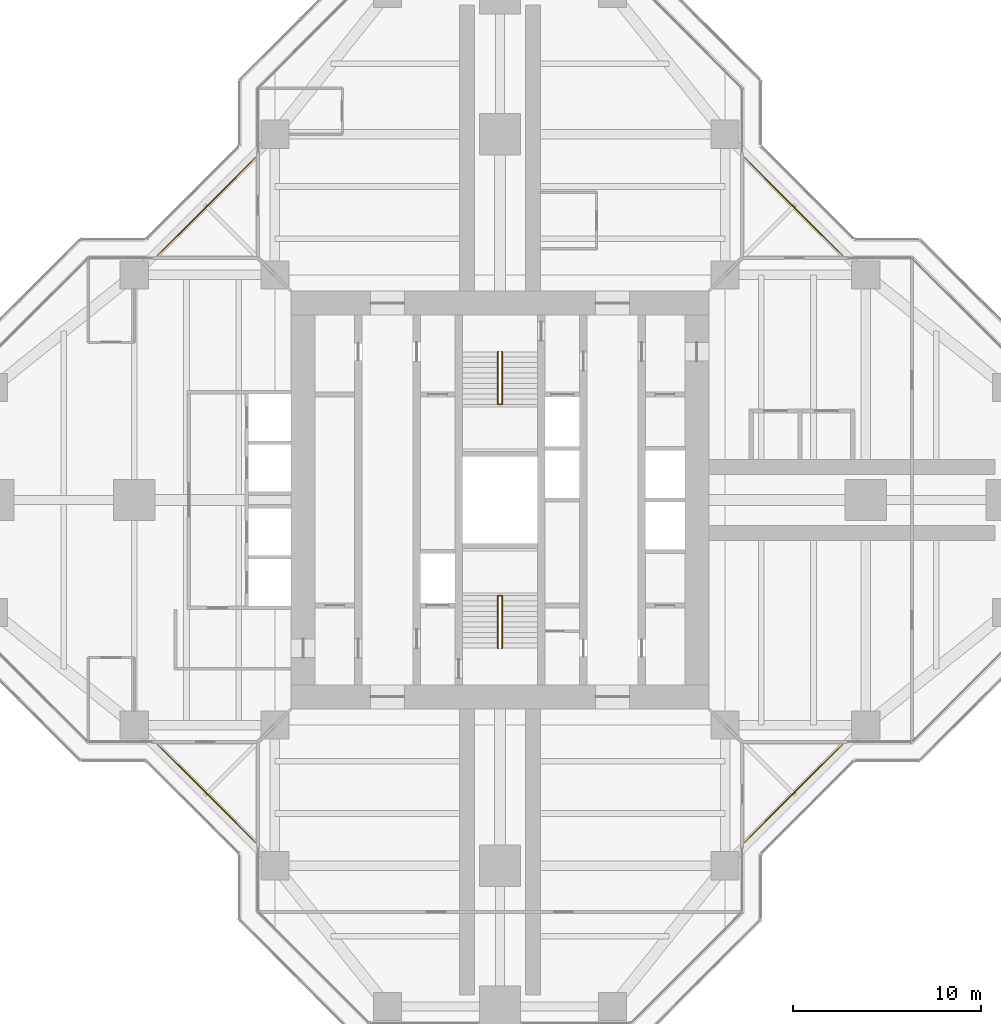
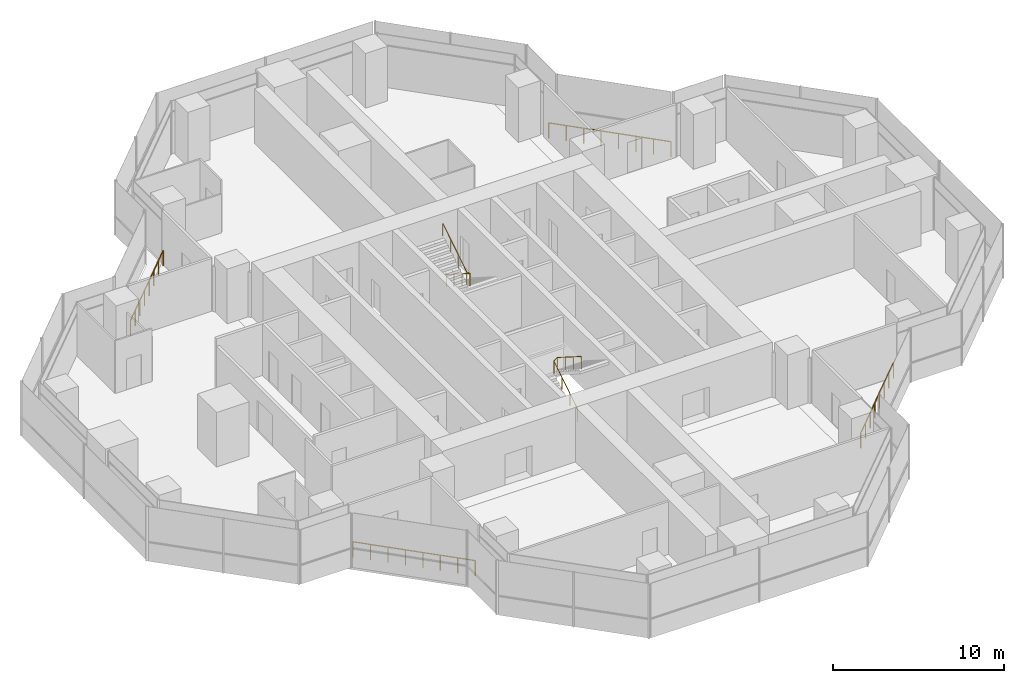
# One storey, part 17 of 17: 6 railings.
"""IFC4 building model written with IfcOpenShell, lengths in metres."""

from ifc_helpers import new_model, si_unit, direction, frame, origin, origin_2d, place, context, subcontext, project, spatial, circle, extrude, material, type_object, element, save


model = new_model("IFC4")

# Units and contexts
model_context = context("Model", 3, precision=1e-05, world=origin(), true_north=direction((0.0, 1.0)))
body_context = subcontext(model_context, "Body", "Model", "MODEL_VIEW")
ifc_project = project(units=[si_unit("LENGTHUNIT", "METRE"), si_unit("AREAUNIT", "SQUARE_METRE"), si_unit("VOLUMEUNIT", "CUBIC_METRE"), si_unit("PLANEANGLEUNIT", "RADIAN"), si_unit("MASSUNIT", "GRAM", prefix="KILO")], contexts=[model_context])

# Site, building, storey
site_placement = place(None, origin())
site = spatial("IfcSite", under=ifc_project, at=site_placement, CompositionType="ELEMENT")
building_placement = place(site_placement, origin())
building = spatial("IfcBuilding", under=site, at=building_placement, Name="Mizan Broadcast Tower", CompositionType="ELEMENT")
storey_placement = place(building_placement, frame((0.0, 0.0, 212.699951171875)))
storey = spatial("IfcBuildingStorey", under=building, at=storey_placement, Name="L49", CompositionType="ELEMENT", Elevation=212.699951171875)

# Railings
ifc_material_1 = material(Name="Stainless steel and glass guard", Category="steel")
railing_type_1 = type_object("IfcRailingType", Name="GUARD 1100", PredefinedType="GUARDRAIL", material=ifc_material_1)
railing_1_placement = place(storey_placement, frame((18.2578125, 13.030029296875, 0.0)))
element("IfcRailing", 1, at=railing_1_placement, inside=storey, type_object=railing_type_1, Name="Winter garden guard L49 E", PredefinedType="GUARDRAIL", context=body_context, shape_type="SweptSolid", body=[
    extrude(circle(Radius=0.02392578125, at=origin_2d()), frame((0.0, 0.0, 1.076171875), z_axis=(-0.707106781187, 0.707106781187, 0.0), x_axis=(-0.707106781187, -0.707106781187, 0.0)), (0.0, 0.0, 1.0), 7.393310546875),
    extrude(circle(Radius=0.02099609375, at=origin_2d()), origin(), (0.0, 0.0, 1.0), 1.052001953125),
    extrude(circle(Radius=0.02099609375, at=origin_2d()), frame((-0.746826171875, 0.746826171875, 0.0)), (0.0, 0.0, 1.0), 1.052001953125),
    extrude(circle(Radius=0.02099609375, at=origin_2d()), frame((-1.49365234375, 1.49365234375, 0.0)), (0.0, 0.0, 1.0), 1.052001953125),
    extrude(circle(Radius=0.02099609375, at=origin_2d()), frame((-2.240478515625, 2.240478515625, 0.0)), (0.0, 0.0, 1.0), 1.052001953125),
    extrude(circle(Radius=0.02099609375, at=origin_2d()), frame((-2.9873046875, 2.9873046875, 0.0)), (0.0, 0.0, 1.0), 1.052001953125),
    extrude(circle(Radius=0.02099609375, at=origin_2d()), frame((-3.734130859375, 3.734130859375, 0.0)), (0.0, 0.0, 1.0), 1.052001953125),
    extrude(circle(Radius=0.02099609375, at=origin_2d()), frame((-4.48095703125, 4.48095703125, 0.0)), (0.0, 0.0, 1.0), 1.052001953125),
    extrude(circle(Radius=0.02099609375, at=origin_2d()), frame((-5.227783203125, 5.227783203125, 0.0)), (0.0, 0.0, 1.0), 1.052001953125),
])
railing_2_placement = place(storey_placement, frame((-13.030029296875, 18.2578125, 0.0)))
element("IfcRailing", 2, at=railing_2_placement, inside=storey, type_object=railing_type_1, Name="Winter garden guard L49 N", PredefinedType="GUARDRAIL", context=body_context, shape_type="SweptSolid", body=[
    extrude(circle(Radius=0.02392578125, at=origin_2d()), frame((0.0, 0.0, 1.076171875), z_axis=(-0.707106781187, -0.707106781187, 0.0), x_axis=(0.707106781187, -0.707106781187, 0.0)), (0.0, 0.0, 1.0), 7.393310546875),
    extrude(circle(Radius=0.02099609375, at=origin_2d()), origin(), (0.0, 0.0, 1.0), 1.052001953125),
    extrude(circle(Radius=0.02099609375, at=origin_2d()), frame((-0.746826171875, -0.746826171875, 0.0)), (0.0, 0.0, 1.0), 1.052001953125),
    extrude(circle(Radius=0.02099609375, at=origin_2d()), frame((-1.49365234375, -1.49365234375, 0.0)), (0.0, 0.0, 1.0), 1.052001953125),
    extrude(circle(Radius=0.02099609375, at=origin_2d()), frame((-2.240478515625, -2.240478515625, 0.0)), (0.0, 0.0, 1.0), 1.052001953125),
    extrude(circle(Radius=0.02099609375, at=origin_2d()), frame((-2.9873046875, -2.9873046875, 0.0)), (0.0, 0.0, 1.0), 1.052001953125),
    extrude(circle(Radius=0.02099609375, at=origin_2d()), frame((-3.734130859375, -3.734130859375, 0.0)), (0.0, 0.0, 1.0), 1.052001953125),
    extrude(circle(Radius=0.02099609375, at=origin_2d()), frame((-4.48095703125, -4.48095703125, 0.0)), (0.0, 0.0, 1.0), 1.052001953125),
    extrude(circle(Radius=0.02099609375, at=origin_2d()), frame((-5.227783203125, -5.227783203125, 0.0)), (0.0, 0.0, 1.0), 1.052001953125),
])
railing_3_placement = place(storey_placement, frame((-18.2578125, -13.030029296875, 0.0)))
element("IfcRailing", 3, at=railing_3_placement, inside=storey, type_object=railing_type_1, Name="Winter garden guard L49 W", PredefinedType="GUARDRAIL", context=body_context, shape_type="SweptSolid", body=[
    extrude(circle(Radius=0.02392578125, at=origin_2d()), frame((0.0, 0.0, 1.076171875), z_axis=(0.707106781187, -0.707106781187, 0.0), x_axis=(0.707106781187, 0.707106781187, 0.0)), (0.0, 0.0, 1.0), 7.393310546875),
    extrude(circle(Radius=0.02099609375, at=origin_2d()), origin(), (0.0, 0.0, 1.0), 1.052001953125),
    extrude(circle(Radius=0.02099609375, at=origin_2d()), frame((0.746826171875, -0.746826171875, 0.0)), (0.0, 0.0, 1.0), 1.052001953125),
    extrude(circle(Radius=0.02099609375, at=origin_2d()), frame((1.49365234375, -1.49365234375, 0.0)), (0.0, 0.0, 1.0), 1.052001953125),
    extrude(circle(Radius=0.02099609375, at=origin_2d()), frame((2.240478515625, -2.240478515625, 0.0)), (0.0, 0.0, 1.0), 1.052001953125),
    extrude(circle(Radius=0.02099609375, at=origin_2d()), frame((2.9873046875, -2.9873046875, 0.0)), (0.0, 0.0, 1.0), 1.052001953125),
    extrude(circle(Radius=0.02099609375, at=origin_2d()), frame((3.734130859375, -3.734130859375, 0.0)), (0.0, 0.0, 1.0), 1.052001953125),
    extrude(circle(Radius=0.02099609375, at=origin_2d()), frame((4.48095703125, -4.48095703125, 0.0)), (0.0, 0.0, 1.0), 1.052001953125),
    extrude(circle(Radius=0.02099609375, at=origin_2d()), frame((5.227783203125, -5.227783203125, 0.0)), (0.0, 0.0, 1.0), 1.052001953125),
])
railing_4_placement = place(storey_placement, frame((13.030029296875, -18.2578125, 0.0)))
element("IfcRailing", 4, at=railing_4_placement, inside=storey, type_object=railing_type_1, Name="Winter garden guard L49 S", PredefinedType="GUARDRAIL", context=body_context, shape_type="SweptSolid", body=[
    extrude(circle(Radius=0.02392578125, at=origin_2d()), frame((0.0, 0.0, 1.076171875), z_axis=(0.707106781187, 0.707106781187, 0.0), x_axis=(-0.707106781187, 0.707106781187, 0.0)), (0.0, 0.0, 1.0), 7.393310546875),
    extrude(circle(Radius=0.02099609375, at=origin_2d()), origin(), (0.0, 0.0, 1.0), 1.052001953125),
    extrude(circle(Radius=0.02099609375, at=origin_2d()), frame((0.746826171875, 0.746826171875, 0.0)), (0.0, 0.0, 1.0), 1.052001953125),
    extrude(circle(Radius=0.02099609375, at=origin_2d()), frame((1.49365234375, 1.49365234375, 0.0)), (0.0, 0.0, 1.0), 1.052001953125),
    extrude(circle(Radius=0.02099609375, at=origin_2d()), frame((2.240478515625, 2.240478515625, 0.0)), (0.0, 0.0, 1.0), 1.052001953125),
    extrude(circle(Radius=0.02099609375, at=origin_2d()), frame((2.9873046875, 2.9873046875, 0.0)), (0.0, 0.0, 1.0), 1.052001953125),
    extrude(circle(Radius=0.02099609375, at=origin_2d()), frame((3.734130859375, 3.734130859375, 0.0)), (0.0, 0.0, 1.0), 1.052001953125),
    extrude(circle(Radius=0.02099609375, at=origin_2d()), frame((4.48095703125, 4.48095703125, 0.0)), (0.0, 0.0, 1.0), 1.052001953125),
    extrude(circle(Radius=0.02099609375, at=origin_2d()), frame((5.227783203125, 5.227783203125, 0.0)), (0.0, 0.0, 1.0), 1.052001953125),
])
ifc_material_2 = material(Name="Stainless steel", Category="steel")
railing_type_2 = type_object("IfcRailingType", Name="HANDRAIL 50", PredefinedType="HANDRAIL", material=ifc_material_2)
railing_5_placement = place(storey_placement, frame((-0.110107421875, -7.89990234375, 0.17724609375)))
element("IfcRailing", 5, at=railing_5_placement, inside=storey, type_object=railing_type_2, Name="Stair A handrail", PredefinedType="HANDRAIL", context=body_context, shape_type="SweptSolid", body=[
    extrude(circle(Radius=0.02392578125, at=origin_2d()), frame((0.0, 0.0, 0.8759765625), z_axis=(0.0, 0.844887892834, 0.53494340686), x_axis=(-1.0, 0.0, 0.0)), (0.0, 0.0, 1.0), 3.313720703125),
    extrude(circle(Radius=0.02392578125, at=origin_2d()), frame((0.0, 2.7998046875, 2.6484375), z_axis=(0.77858989007, 0.0, 0.627533093216), x_axis=(0.0, 1.0, 0.0)), (0.0, 0.0, 1.0), 0.282958984375),
    extrude(circle(Radius=0.02392578125, at=origin_2d()), frame((0.22021484375, 2.7998046875, 2.826171875), z_axis=(0.0, -0.844887892834, 0.53494340686), x_axis=(1.0, 0.0, 0.0)), (0.0, 0.0, 1.0), 3.313720703125),
    extrude(circle(Radius=0.02099609375, at=origin_2d()), origin(), (0.0, 0.0, 1.0), 0.851806640625),
    extrude(circle(Radius=0.02099609375, at=origin_2d()), frame((0.0, 0.933349609375, 0.5908203125)), (0.0, 0.0, 1.0), 0.851806640625),
    extrude(circle(Radius=0.02099609375, at=origin_2d()), frame((0.0, 1.866455078125, 1.181884765625)), (0.0, 0.0, 1.0), 0.851806640625),
    extrude(circle(Radius=0.02099609375, at=origin_2d()), frame((0.0, 2.7998046875, 1.772705078125)), (0.0, 0.0, 1.0), 0.851806640625),
    extrude(circle(Radius=0.02099609375, at=origin_2d()), frame((0.22021484375, 2.7998046875, 1.9501953125)), (0.0, 0.0, 1.0), 0.851806640625),
    extrude(circle(Radius=0.02099609375, at=origin_2d()), frame((0.22021484375, 1.866455078125, 2.541015625)), (0.0, 0.0, 1.0), 0.851806640625),
    extrude(circle(Radius=0.02099609375, at=origin_2d()), frame((0.22021484375, 0.933349609375, 3.132080078125)), (0.0, 0.0, 1.0), 0.851806640625),
    extrude(circle(Radius=0.02099609375, at=origin_2d()), frame((0.22021484375, 0.0, 3.722900390625)), (0.0, 0.0, 1.0), 0.851806640625),
])
railing_6_placement = place(storey_placement, frame((0.110107421875, 7.89990234375, 0.17724609375)))
element("IfcRailing", 6, at=railing_6_placement, inside=storey, type_object=railing_type_2, Name="Stair B handrail", PredefinedType="HANDRAIL", context=body_context, shape_type="SweptSolid", body=[
    extrude(circle(Radius=0.02392578125, at=origin_2d()), frame((0.0, 0.0, 0.8759765625), z_axis=(0.0, -0.844887892834, 0.53494340686), x_axis=(1.0, 0.0, 0.0)), (0.0, 0.0, 1.0), 3.313720703125),
    extrude(circle(Radius=0.02392578125, at=origin_2d()), frame((0.0, -2.7998046875, 2.6484375), z_axis=(-0.77858989007, 0.0, 0.627533093216), x_axis=(0.0, -1.0, 0.0)), (0.0, 0.0, 1.0), 0.282958984375),
    extrude(circle(Radius=0.02392578125, at=origin_2d()), frame((-0.22021484375, -2.7998046875, 2.826171875), z_axis=(0.0, 0.844887892834, 0.53494340686), x_axis=(-1.0, 0.0, 0.0)), (0.0, 0.0, 1.0), 3.313720703125),
    extrude(circle(Radius=0.02099609375, at=origin_2d()), origin(), (0.0, 0.0, 1.0), 0.851806640625),
    extrude(circle(Radius=0.02099609375, at=origin_2d()), frame((0.0, -0.933349609375, 0.5908203125)), (0.0, 0.0, 1.0), 0.851806640625),
    extrude(circle(Radius=0.02099609375, at=origin_2d()), frame((0.0, -1.866455078125, 1.181884765625)), (0.0, 0.0, 1.0), 0.851806640625),
    extrude(circle(Radius=0.02099609375, at=origin_2d()), frame((0.0, -2.7998046875, 1.772705078125)), (0.0, 0.0, 1.0), 0.851806640625),
    extrude(circle(Radius=0.02099609375, at=origin_2d()), frame((-0.22021484375, -2.7998046875, 1.9501953125)), (0.0, 0.0, 1.0), 0.851806640625),
    extrude(circle(Radius=0.02099609375, at=origin_2d()), frame((-0.22021484375, -1.866455078125, 2.541015625)), (0.0, 0.0, 1.0), 0.851806640625),
    extrude(circle(Radius=0.02099609375, at=origin_2d()), frame((-0.22021484375, -0.933349609375, 3.132080078125)), (0.0, 0.0, 1.0), 0.851806640625),
    extrude(circle(Radius=0.02099609375, at=origin_2d()), frame((-0.22021484375, 0.0, 3.722900390625)), (0.0, 0.0, 1.0), 0.851806640625),
])

save(model, "model.ifc")
